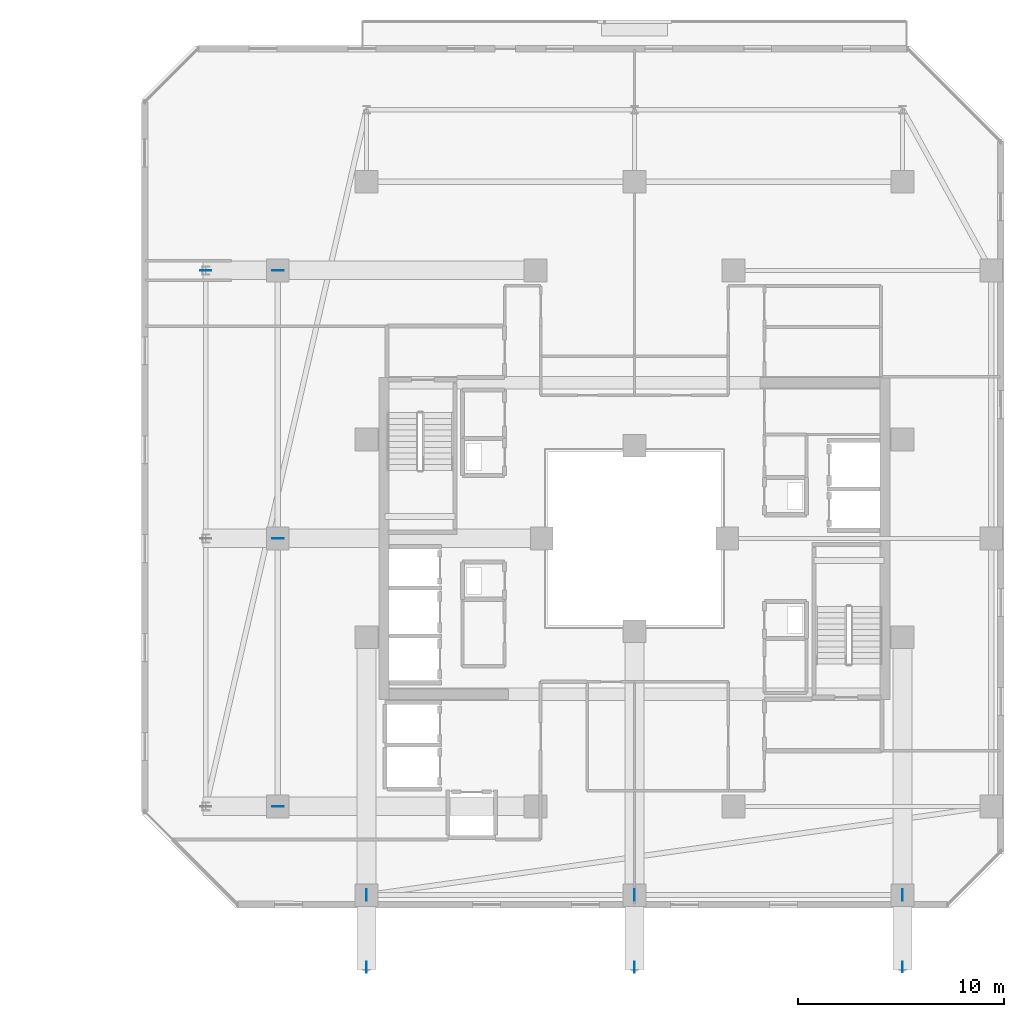
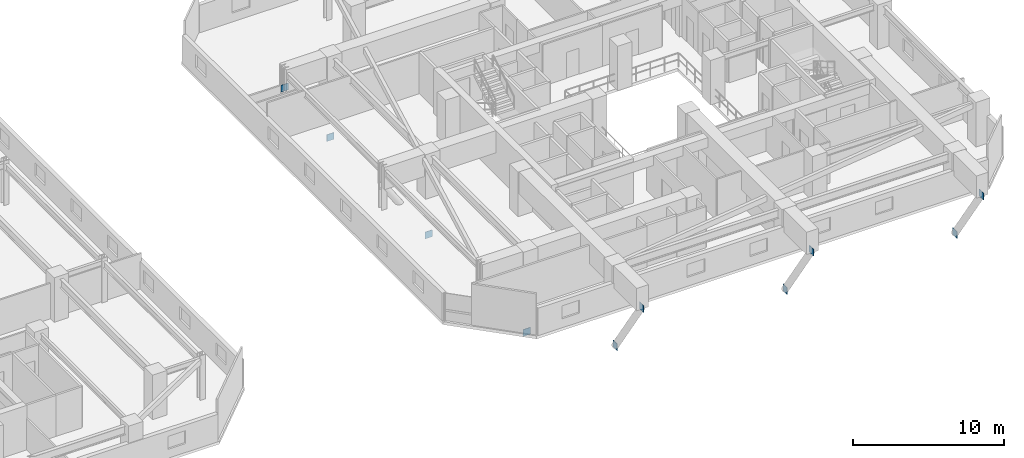
# One storey, part 21 of 36: 10 plates.
"""IFC4 building model written with IfcOpenShell, lengths in metres."""

from ifc_helpers import new_model, si_unit, direction, frame, origin, origin_2d, place, context, subcontext, project, spatial, rectangle, extrude, material, layer, layer_set, type_object, element, save


model = new_model("IFC4")

# Units and contexts
model_context = context("Model", 3, precision=1e-05, world=origin(), true_north=direction((0.0, 1.0)))
body_context = subcontext(model_context, "Body", "Model", "MODEL_VIEW")
ifc_project = project(units=[si_unit("LENGTHUNIT", "METRE"), si_unit("AREAUNIT", "SQUARE_METRE"), si_unit("VOLUMEUNIT", "CUBIC_METRE"), si_unit("PLANEANGLEUNIT", "RADIAN"), si_unit("MASSUNIT", "GRAM", prefix="KILO")], contexts=[model_context])

# Site, building, storey
site_placement = place(None, origin())
site = spatial("IfcSite", under=ifc_project, at=site_placement, CompositionType="ELEMENT")
building_placement = place(site_placement, origin())
building = spatial("IfcBuilding", under=site, at=building_placement, Name="Thornwick Lancets Civic Towers", CompositionType="ELEMENT")
storey_placement = place(building_placement, frame((0.0, 0.0, 196.5)))
storey = spatial("IfcBuildingStorey", under=building, at=storey_placement, Name="L52", CompositionType="ELEMENT", Elevation=196.5)

# Plates
ifc_material = material(Name="Steel S460M", Category="steel")
ifc_layer = layer(ifc_material, 0.0400390625, Name="Steel S460M")
ifc_layer_set = layer_set([ifc_layer], Name="Steel S460M")
plate_type = type_object("IfcPlateType", Name="PLT_GUSSET_40", PredefinedType="USERDEFINED", material=ifc_layer_set)
for number, where, z_axis, x_axis, name in (
    (1, (71.199951171875, 14.0, -3.625), (0.0, 0.0, 1.0), (-1.0, 0.0, 0.0), "L52 Brace Connection Gusset Plate 0299"),
    (2, (71.199951171875, 27.0, -3.625), (0.0, 0.0, 1.0), (-1.0, 0.0, 0.0), "L52 Brace Connection Gusset Plate 0301"),
    (3, (71.199951171875, 40.0, -3.625), (0.0, 0.0, 1.0), (-1.0, 0.0, 0.0), "L52 Brace Connection Gusset Plate 0303"),
    (4, (67.699951171875, 40.0, 1.60498046875), (0.0, 0.0, 1.0), (-1.0, 0.0, 0.0), "L52 Brace Connection Gusset Plate 0304"),
    (5, (101.5, 9.699951171875, -3.625), (0.0, 0.0, 1.0), (0.0, -1.0, 0.0), "L52 Brace Connection Gusset Plate 0305"),
    (6, (101.5, 6.199951171875, 1.60498046875), (0.0, 0.0, 1.0), (0.0, -1.0, 0.0), "L52 Brace Connection Gusset Plate 0306"),
    (7, (88.5, 9.699951171875, -3.625), (0.0, 0.0, 1.0), (0.0, -1.0, 0.0), "L52 Brace Connection Gusset Plate 0307"),
    (8, (88.5, 6.199951171875, 1.60498046875), (0.0, 0.0, 1.0), (0.0, -1.0, 0.0), "L52 Brace Connection Gusset Plate 0308"),
    (9, (75.5, 9.699951171875, -3.625), (0.0, 0.0, 1.0), (0.0, -1.0, 0.0), "L52 Brace Connection Gusset Plate 0309"),
    (10, (75.5, 6.199951171875, 1.60498046875), (0.0, 0.0, 1.0), (0.0, -1.0, 0.0), "L52 Brace Connection Gusset Plate 0310"),
):
    element("IfcPlate", number, at=place(storey_placement, frame(where, z_axis=z_axis, x_axis=x_axis)), inside=storey, type_object=plate_type, Name=name, ObjectType="GUSSET_PLATE", PredefinedType="USERDEFINED", context=body_context, shape_type="SweptSolid", body=[
        extrude(rectangle(XDim=0.550048828125, YDim=0.0400390625, at=origin_2d()), origin(), (0.0, 0.0, 1.0), 0.550048828125),
    ])

save(model, "model.ifc")
